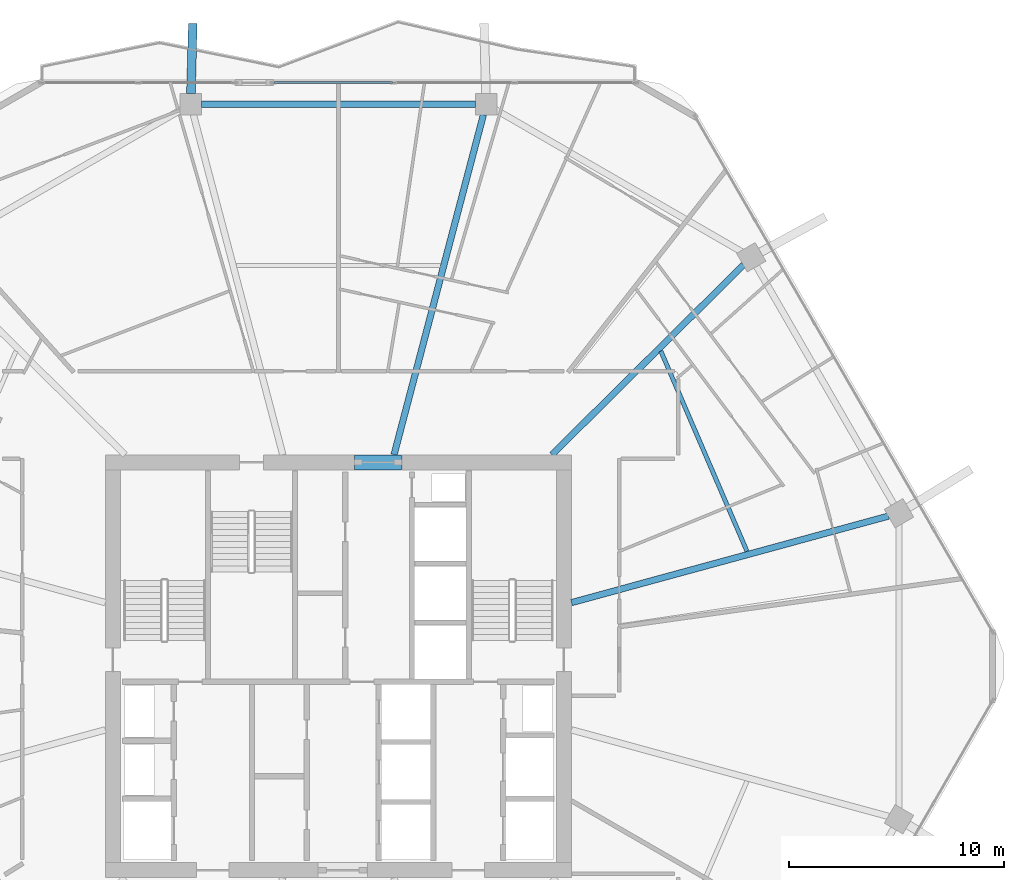
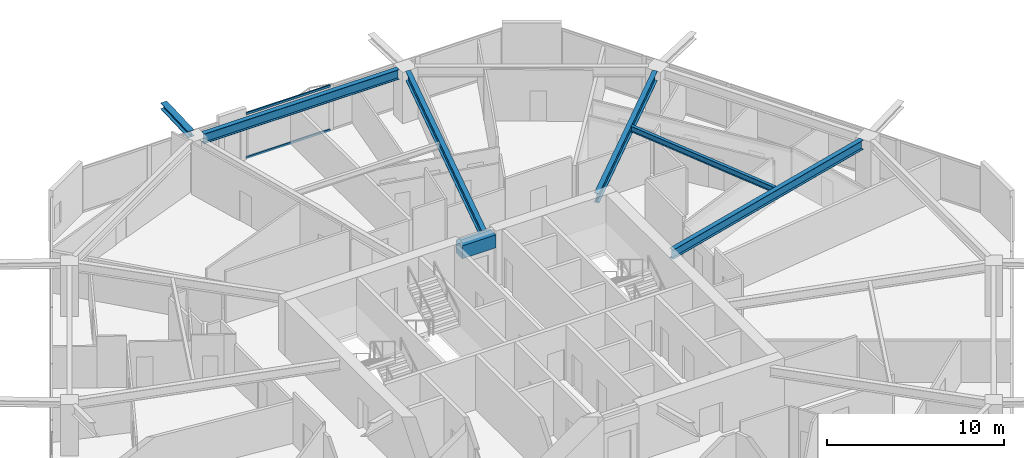
# One storey, part 13 of 25: 7 beams, 2 members, 1 element without a shape of its own.
"""IFC4 building model written with IfcOpenShell, lengths in metres."""

from ifc_helpers import new_model, si_unit, direction, frame, origin, origin_2d, place, context, subcontext, project, spatial, rectangle, hollow_rectangle, i_section, extrude, material, material_profile, profile_set, type_object, element, aggregate, save


model = new_model("IFC4")

# Units and contexts
model_context = context("Model", 3, precision=1e-05, world=origin(), true_north=direction((0.0, 1.0)))
body_context = subcontext(model_context, "Body", "Model", "MODEL_VIEW")
ifc_project = project(units=[si_unit("LENGTHUNIT", "METRE"), si_unit("AREAUNIT", "SQUARE_METRE"), si_unit("VOLUMEUNIT", "CUBIC_METRE"), si_unit("PLANEANGLEUNIT", "RADIAN"), si_unit("MASSUNIT", "GRAM", prefix="KILO")], contexts=[model_context])

# Site, building, storey
site_placement = place(None, origin())
site = spatial("IfcSite", under=ifc_project, at=site_placement, CompositionType="ELEMENT")
building_placement = place(site_placement, origin())
building = spatial("IfcBuilding", under=site, at=building_placement, Name="Zuhravey Tower", CompositionType="ELEMENT")
storey_placement = place(building_placement, frame((0.0, 0.0, 150.39990234375)))
storey = spatial("IfcBuildingStorey", under=building, at=storey_placement, Name="L37", CompositionType="ELEMENT", Elevation=150.39990234375)

# Beam
ifc_material_1 = material(Name="Concrete C60/75", Category="concrete")
ifc_material_profile_1 = material_profile(ifc_material_1, rectangle(XDim=0.699951171875, YDim=0.89990234375, at=origin_2d()), Name="RC-700x900")
ifc_profile_set_1 = profile_set([ifc_material_profile_1], Name="Concrete C60/75")
beam_type_1 = type_object("IfcBeamType", Name="Core Coupling Beam RC700x900", PredefinedType="LINTEL", material=ifc_profile_set_1)
beam_1_placement = place(storey_placement, frame((36.751953125, 41.5, 3.10009765625), z_axis=(1.0, 0.0, 0.0), x_axis=(0.0, 1.0, 0.0)))
element("IfcBeam", 1, at=beam_1_placement, inside=storey, type_object=beam_type_1, Name="L37 CB1 BM-L37-CB-N", PredefinedType="LINTEL", context=body_context, shape_type="SweptSolid", body=[
    extrude(rectangle(XDim=0.699951171875, YDim=0.89990234375, at=origin_2d()), origin(), (0.0, 0.0, 1.0), 2.196044921875),
])

# Curtain wall, members
ifc_material_2 = material(Name="Thermally broken anodised aluminium", Category="aluminium")
curtain_wall_type = type_object("IfcCurtainWallType", Name="Zone 1-2 Residential Curtain Wall CW3", PredefinedType="NOTDEFINED", material=ifc_material_2)
curtain_wall_placement = place(storey_placement, origin())
curtain_wall = element("IfcCurtainWall", 2, at=curtain_wall_placement, inside=storey, type_object=curtain_wall_type, Name="L37 CW3 CW-L37-F2-2", PredefinedType="NOTDEFINED")
ifc_material_3 = material(Name="Anodised aluminium", Category="aluminium")
ifc_material_profile_2 = material_profile(ifc_material_3, hollow_rectangle(XDim=0.090087890625, YDim=0.14990234375, WallThickness=0.0048828125, at=origin_2d()), Name="ALU-RHS-90x150x5")
ifc_profile_set_2 = profile_set([ifc_material_profile_2], Name="Anodised aluminium")
member_type = type_object("IfcMemberType", Name="Curtain-Wall Transom 90x150", PredefinedType="USERDEFINED", material=ifc_profile_set_2)
member_1_placement = place(storey_placement, frame((33.0107421875, 59.18310546875, 0.045166015625), z_axis=(1.0, 0.0, 0.0), x_axis=(0.0, 1.0, 0.0)))
member_1 = element("IfcMember", 3, at=member_1_placement, type_object=member_type, Name="CW3 transom 1.1", ObjectType="TRANSOM", PredefinedType="USERDEFINED", context=body_context, shape_type="SweptSolid", body=[
    extrude(hollow_rectangle(XDim=0.090087890625, YDim=0.14990234375, WallThickness=0.0048828125, at=origin_2d()), origin(), (0.0, 0.0, 1.0), 5.51171875),
])
member_2_placement = place(storey_placement, frame((33.0107421875, 59.18310546875, 3.0771484375), z_axis=(1.0, 0.0, 0.0), x_axis=(0.0, 1.0, 0.0)))
member_2 = element("IfcMember", 4, at=member_2_placement, type_object=member_type, Name="CW3 transom 1.2", ObjectType="TRANSOM", PredefinedType="USERDEFINED", context=body_context, shape_type="SweptSolid", body=[
    extrude(hollow_rectangle(XDim=0.090087890625, YDim=0.14990234375, WallThickness=0.0048828125, at=origin_2d()), origin(), (0.0, 0.0, 1.0), 5.51171875),
])
aggregate(curtain_wall, [member_1, member_2])

# Beams
ifc_material_4 = material(Name="Steel SM460", Category="steel")
ifc_material_profile_3 = material_profile(ifc_material_4, i_section(OverallWidth=0.406982421875, OverallDepth=0.427978515625, WebThickness=0.02001953125, FlangeThickness=0.034912109375, at=origin_2d()), Name="H-428x407x20x35")
ifc_profile_set_3 = profile_set([ifc_material_profile_3], Name="Steel SM460")
beam_type_2 = type_object("IfcBeamType", Name="Exoskeleton Node Tie Beam H428x407", PredefinedType="BEAM", material=ifc_profile_set_3)
beam_2_placement = place(storey_placement, frame((29.131591796875, 58.677001953125, 3.336181640625), z_axis=(0.02672320059, 0.999642871505, 0.0), x_axis=(-0.999642871505, 0.02672320059, 0.0)))
element("IfcBeam", 5, at=beam_2_placement, inside=storey, type_object=beam_type_2, Name="L37 Exoskeleton Node Tie NT1-04", PredefinedType="BEAM", context=body_context, shape_type="SweptSolid", body=[
    extrude(i_section(OverallWidth=0.406982421875, OverallDepth=0.427978515625, WebThickness=0.02001953125, FlangeThickness=0.034912109375, at=origin_2d()), origin(), (0.0, 0.0, 1.0), 3.25244140625),
])
ifc_material_5 = material(Name="Steel SM355", Category="steel")
ifc_material_profile_4 = material_profile(ifc_material_5, i_section(OverallWidth=0.300048828125, OverallDepth=0.679931640625, WebThickness=0.012939453125, FlangeThickness=0.02197265625, at=origin_2d()), Name="H-680x300x13x22")
ifc_profile_set_4 = profile_set([ifc_material_profile_4], Name="Steel SM355")
beam_type_3 = type_object("IfcBeamType", Name="Perimeter Ring Beam H680x300", PredefinedType="BEAM", material=ifc_profile_set_4)
beam_3_placement = place(storey_placement, frame((42.37890625, 58.173095703125, 3.210205078125), z_axis=(-1.0, 0.0, 0.0), x_axis=(0.0, -1.0, 0.0)))
element("IfcBeam", 6, at=beam_3_placement, inside=storey, type_object=beam_type_3, Name="L37 PB2 BM-L37-PB-03", PredefinedType="BEAM", context=body_context, shape_type="SweptSolid", body=[
    extrude(i_section(OverallWidth=0.300048828125, OverallDepth=0.679931640625, WebThickness=0.012939453125, FlangeThickness=0.02197265625, at=origin_2d()), origin(), (0.0, 0.0, 1.0), 12.7578125),
])
ifc_material_profile_5 = material_profile(ifc_material_5, i_section(OverallWidth=0.300048828125, OverallDepth=0.64990234375, WebThickness=0.012939453125, FlangeThickness=0.02197265625, at=origin_2d()), Name="H-650x300x13x22")
ifc_profile_set_5 = profile_set([ifc_material_profile_5], Name="Steel SM355")
beam_type_4 = type_object("IfcBeamType", Name="Radial Primary Girder H650x300", PredefinedType="BEAM", material=ifc_profile_set_5)
beam_4_placement = place(storey_placement, frame((46.85302734375, 34.96240234375, 3.22509765625), z_axis=(0.964701601771, 0.263345437667, 0.0), x_axis=(-0.263345437667, 0.964701601771, 0.0)))
element("IfcBeam", 7, at=beam_4_placement, inside=storey, type_object=beam_type_4, Name="L37 RG2 BM-L37-RAD-01", PredefinedType="BEAM", context=body_context, shape_type="SweptSolid", body=[
    extrude(i_section(OverallWidth=0.300048828125, OverallDepth=0.64990234375, WebThickness=0.012939453125, FlangeThickness=0.02197265625, at=origin_2d()), origin(), (0.0, 0.0, 1.0), 15.309814453125),
])
beam_5_placement = place(storey_placement, frame((45.945556640625, 41.85302734375, 3.22509765625), z_axis=(0.71040353357, 0.703794586148, 0.0), x_axis=(-0.703794586148, 0.71040353357, 0.0)))
element("IfcBeam", 8, at=beam_5_placement, inside=storey, type_object=beam_type_4, Name="L37 RG2 BM-L37-RAD-02", PredefinedType="BEAM", context=body_context, shape_type="SweptSolid", body=[
    extrude(i_section(OverallWidth=0.300048828125, OverallDepth=0.64990234375, WebThickness=0.012939453125, FlangeThickness=0.02197265625, at=origin_2d()), origin(), (0.0, 0.0, 1.0), 12.559814453125),
])
beam_6_placement = place(storey_placement, frame((38.5908203125, 41.85302734375, 3.22509765625), z_axis=(0.254300244998, 0.967125320418, 0.0), x_axis=(-0.967125320418, 0.254300244998, 0.0)))
element("IfcBeam", 9, at=beam_6_placement, inside=storey, type_object=beam_type_4, Name="L37 RG2 BM-L37-RAD-03", PredefinedType="BEAM", context=body_context, shape_type="SweptSolid", body=[
    extrude(i_section(OverallWidth=0.300048828125, OverallDepth=0.64990234375, WebThickness=0.012939453125, FlangeThickness=0.02197265625, at=origin_2d()), origin(), (0.0, 0.0, 1.0), 16.371826171875),
])
ifc_material_profile_6 = material_profile(ifc_material_5, i_section(OverallWidth=0.199951171875, OverallDepth=0.39990234375, WebThickness=0.008056640625, FlangeThickness=0.012939453125, at=origin_2d()), Name="H-400x200x8x13")
ifc_profile_set_6 = profile_set([ifc_material_profile_6], Name="Steel SM355")
beam_type_5 = type_object("IfcBeamType", Name="Secondary Floor Joist H400x200", PredefinedType="JOIST", material=ifc_profile_set_6)
beam_7_placement = place(storey_placement, frame((55.029541015625, 37.3525390625, 3.35009765625), z_axis=(-0.395265853487, 0.918566766799, 0.0), x_axis=(-0.918566766799, -0.395265853487, 0.0)))
element("IfcBeam", 10, at=beam_7_placement, inside=storey, type_object=beam_type_5, Name="L37 SJ2 BM-L37-SJ-01-1", PredefinedType="JOIST", context=body_context, shape_type="SweptSolid", body=[
    extrude(i_section(OverallWidth=0.199951171875, OverallDepth=0.39990234375, WebThickness=0.008056640625, FlangeThickness=0.012939453125, at=origin_2d()), origin(), (0.0, 0.0, 1.0), 10.150146484375),
])

save(model, "model.ifc")
